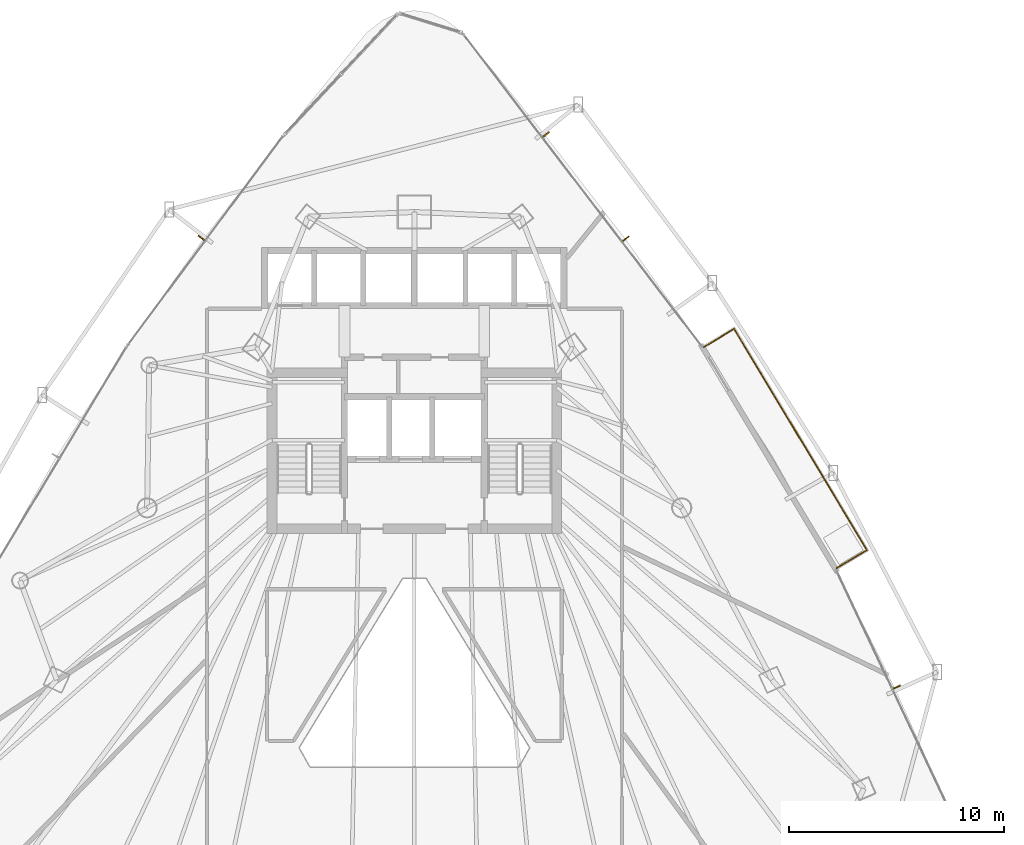
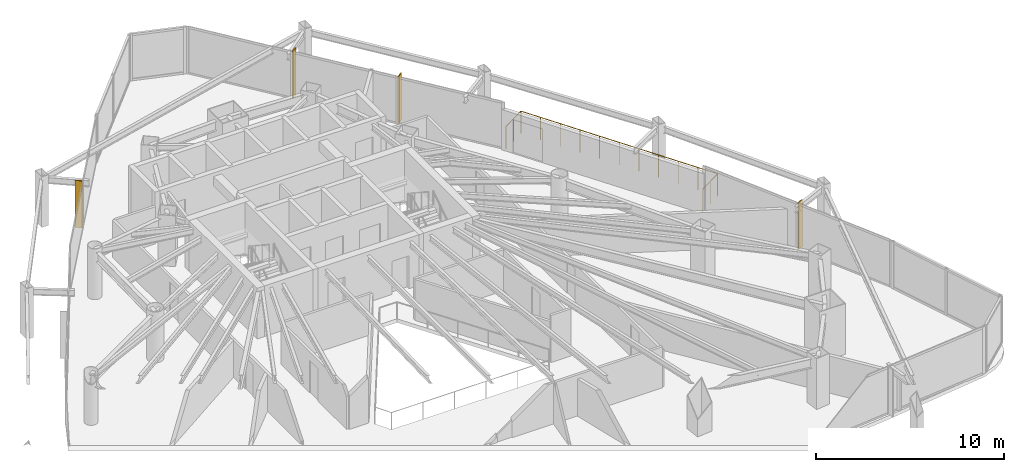
# One storey, part 33 of 33: 4 shading devices, 1 railing.
"""IFC4 building model written with IfcOpenShell, lengths in metres."""

from ifc_helpers import new_model, si_unit, direction, frame, origin, origin_2d, place, context, subcontext, project, spatial, rectangle, circle, extrude, material, layer, layer_set, type_object, element, save


model = new_model("IFC4")

# Units and contexts
model_context = context("Model", 3, precision=1e-05, world=origin(), true_north=direction((0.0, 1.0)))
body_context = subcontext(model_context, "Body", "Model", "MODEL_VIEW")
ifc_project = project(units=[si_unit("LENGTHUNIT", "METRE"), si_unit("AREAUNIT", "SQUARE_METRE"), si_unit("VOLUMEUNIT", "CUBIC_METRE"), si_unit("PLANEANGLEUNIT", "RADIAN"), si_unit("MASSUNIT", "GRAM", prefix="KILO")], contexts=[model_context])

# Site, building, storey
site_placement = place(None, origin())
site = spatial("IfcSite", under=ifc_project, at=site_placement, CompositionType="ELEMENT")
building_placement = place(site_placement, origin())
building = spatial("IfcBuilding", under=site, at=building_placement, Name="Orvanel Arch Residences", CompositionType="ELEMENT")
storey_placement = place(building_placement, frame((0.0, 0.0, 84.050048828125)))
storey = spatial("IfcBuildingStorey", under=building, at=storey_placement, Name="L23", CompositionType="ELEMENT", Elevation=84.050048828125)

# Shading devices
ifc_material = material(Name="Bronze-anodised aluminium AA6063-T6", Category="aluminium")
ifc_layer = layer(ifc_material, 0.06005859375)
ifc_layer_set = layer_set([ifc_layer], Name="Bronze-anodised aluminium AA6063-T6")
shading_device_type = type_object("IfcShadingDeviceType", Name="FIN-BRZ-380", PredefinedType="USERDEFINED", material=ifc_layer_set)
for number, where, z_axis, x_axis, name in (
    (1, (23.096923828125, 40.18603515625, 0.0), (0.0, 0.0, 1.0), (-0.802817475191, 0.596224874966, 0.0), "L23 Anodised Bronze Mullion FIN 01"),
    (2, (55.427001953125, 19.306884765625, 0.0), (0.0, 0.0, 1.0), (0.904082549661, 0.427357863387, 0.0), "L23 Anodised Bronze Mullion FIN 01"),
    (3, (42.825927734375, 40.15087890625, 0.0), (0.0, 0.0, 1.0), (0.794414620535, 0.607375839723, 0.0), "L23 Anodised Bronze Mullion FIN 01"),
    (4, (39.1220703125, 44.9990234375, 0.0), (0.0, 0.0, 1.0), (0.794414620535, 0.607375839723, 0.0), "L23 Anodised Bronze Mullion FIN 02"),
):
    element("IfcShadingDevice", number, at=place(storey_placement, frame(where, z_axis=z_axis, x_axis=x_axis)), inside=storey, type_object=shading_device_type, Name=name, ObjectType="FIN", PredefinedType="USERDEFINED", context=body_context, shape_type="SweptSolid", body=[
        extrude(rectangle(XDim=0.3798828125, YDim=0.06005859375, at=origin_2d()), origin(), (0.0, 0.0, 1.0), 3.06005859375),
    ])

# Railing
railing_type = type_object("IfcRailingType", Name="RL-BAL-1480", PredefinedType="BALUSTRADE", material=ifc_material)
railing_placement = place(storey_placement, frame((52.631103515625, 24.8330078125, 0.0)))
element("IfcRailing", 5, at=railing_placement, inside=storey, type_object=railing_type, Name="L23 Balcony Perimeter Guardrail Face 3", PredefinedType="BALUSTRADE", context=body_context, shape_type="SweptSolid", body=[
    extrude(circle(Radius=0.02392578125, at=origin_2d()), frame((0.001220703125, 0.000732421875, 1.4560546875), z_axis=(0.857545439568, 0.514408222208, 0.0), x_axis=(-0.514408222208, 0.857545439568, 0.0)), (0.0, 0.0, 1.0), 1.6376953125),
    extrude(circle(Radius=0.02392578125, at=origin_2d()), frame((1.40625, 0.84521484375, 1.4560546875), z_axis=(-0.514423902192, 0.85753603356, 0.0), x_axis=(-0.85753603356, -0.514423902192, 0.0)), (0.0, 0.0, 1.0), 11.989501953125),
    extrude(circle(Radius=0.02392578125, at=origin_2d()), frame((-4.763427734375, 11.127197265625, 1.4560546875), z_axis=(-0.857387817543, -0.514670895164, 0.0), x_axis=(0.514670895164, -0.857387817543, 0.0)), (0.0, 0.0, 1.0), 1.636962890625),
    extrude(circle(Radius=0.02099609375, at=origin_2d()), origin(), (0.0, 0.0, 1.0), 1.429931640625),
    extrude(circle(Radius=0.02099609375, at=origin_2d()), frame((0.70361328125, 0.421875, 0.0)), (0.0, 0.0, 1.0), 1.429931640625),
    extrude(circle(Radius=0.02099609375, at=origin_2d()), frame((1.406982421875, 0.843994140625, 0.0)), (0.0, 0.0, 1.0), 1.429931640625),
    extrude(circle(Radius=0.02099609375, at=origin_2d()), frame((0.7900390625, 1.872314453125, 0.0)), (0.0, 0.0, 1.0), 1.429931640625),
    extrude(circle(Radius=0.02099609375, at=origin_2d()), frame((0.173095703125, 2.90087890625, 0.0)), (0.0, 0.0, 1.0), 1.429931640625),
    extrude(circle(Radius=0.02099609375, at=origin_2d()), frame((-0.44384765625, 3.92919921875, 0.0)), (0.0, 0.0, 1.0), 1.429931640625),
    extrude(circle(Radius=0.02099609375, at=origin_2d()), frame((-1.060791015625, 4.95751953125, 0.0)), (0.0, 0.0, 1.0), 1.429931640625),
    extrude(circle(Radius=0.02099609375, at=origin_2d()), frame((-1.677734375, 5.98583984375, 0.0)), (0.0, 0.0, 1.0), 1.429931640625),
    extrude(circle(Radius=0.02099609375, at=origin_2d()), frame((-2.29443359375, 7.014404296875, 0.0)), (0.0, 0.0, 1.0), 1.429931640625),
    extrude(circle(Radius=0.02099609375, at=origin_2d()), frame((-2.911376953125, 8.042724609375, 0.0)), (0.0, 0.0, 1.0), 1.429931640625),
    extrude(circle(Radius=0.02099609375, at=origin_2d()), frame((-3.5283203125, 9.071044921875, 0.0)), (0.0, 0.0, 1.0), 1.429931640625),
    extrude(circle(Radius=0.02099609375, at=origin_2d()), frame((-4.145263671875, 10.099609375, 0.0)), (0.0, 0.0, 1.0), 1.429931640625),
    extrude(circle(Radius=0.02099609375, at=origin_2d()), frame((-4.76220703125, 11.1279296875, 0.0)), (0.0, 0.0, 1.0), 1.429931640625),
    extrude(circle(Radius=0.02099609375, at=origin_2d()), frame((-5.46533203125, 10.7060546875, 0.0)), (0.0, 0.0, 1.0), 1.429931640625),
    extrude(circle(Radius=0.02099609375, at=origin_2d()), frame((-6.168212890625, 10.283935546875, 0.0)), (0.0, 0.0, 1.0), 1.429931640625),
])

save(model, "model.ifc")
